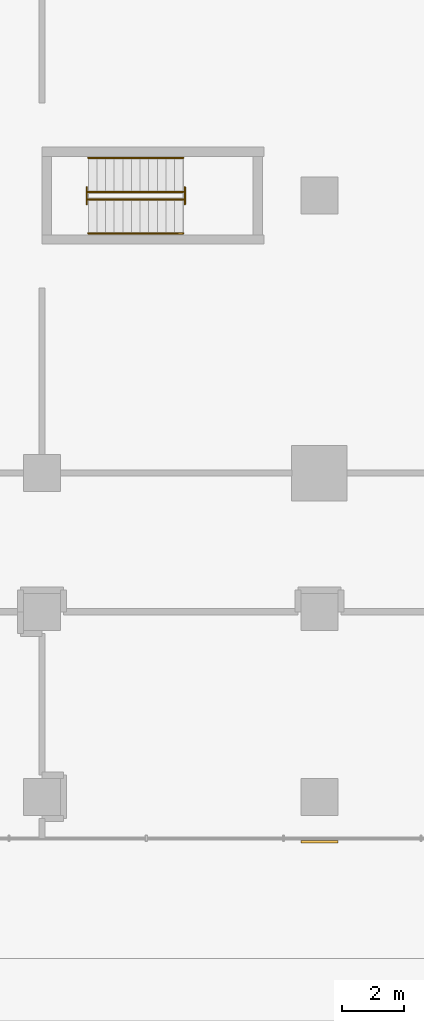
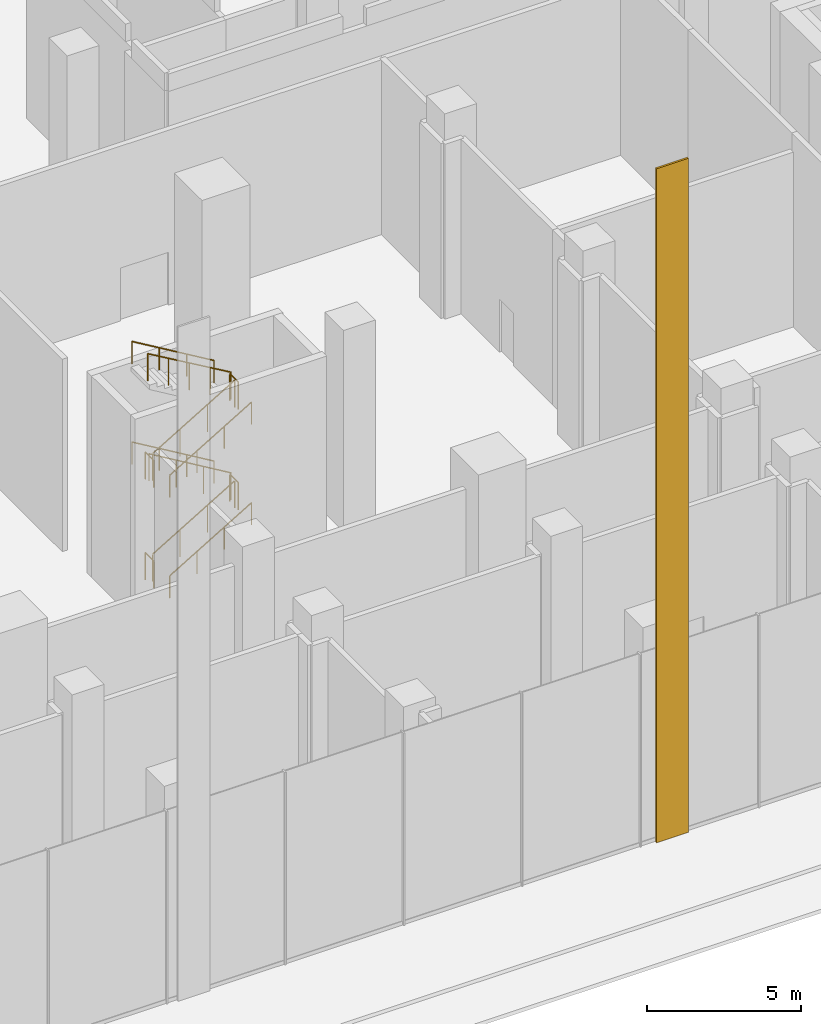
# One storey, part 31 of 42: 12 railings, 1 covering.
"""IFC4 building model written with IfcOpenShell, lengths in metres."""

from ifc_helpers import new_model, si_unit, direction, frame, origin, origin_2d, place, context, subcontext, project, spatial, rectangle, circle, extrude, material, layer, layer_set, type_object, element, save


model = new_model("IFC4")

# Units and contexts
model_context = context("Model", 3, precision=1e-05, world=origin(), true_north=direction((0.0, 1.0)))
body_context = subcontext(model_context, "Body", "Model", "MODEL_VIEW")
ifc_project = project(units=[si_unit("LENGTHUNIT", "METRE"), si_unit("AREAUNIT", "SQUARE_METRE"), si_unit("VOLUMEUNIT", "CUBIC_METRE"), si_unit("PLANEANGLEUNIT", "RADIAN"), si_unit("MASSUNIT", "GRAM", prefix="KILO")], contexts=[model_context])

# Site, building, storey
site_placement = place(None, origin())
site = spatial("IfcSite", under=ifc_project, at=site_placement, CompositionType="ELEMENT")
building_placement = place(site_placement, origin())
building = spatial("IfcBuilding", under=site, at=building_placement, Name="Plateau Cross Towers", CompositionType="ELEMENT")
storey_placement = place(building_placement, origin())
storey = spatial("IfcBuildingStorey", under=building, at=storey_placement, Name="L00", CompositionType="ELEMENT", Elevation=0.0)

# Covering
ifc_material_1 = material(Name="Aluminium composite cladding", Category="aluminium")
ifc_layer = layer(ifc_material_1, 0.070068359375)
ifc_layer_set = layer_set([ifc_layer], Name="Aluminium composite cladding")
covering_type = type_object("IfcCoveringType", Name="Podium pier cladding 1200", PredefinedType="CLADDING", material=ifc_layer_set)
covering_placement = place(storey_placement, frame((54.0, -11.9599609375, 0.0), z_axis=(0.0, 0.0, 1.0), x_axis=(1.0, 0.0, 0.0)))
element("IfcCovering", 1, at=covering_placement, inside=storey, type_object=covering_type, Name="Podium pier S4", PredefinedType="CLADDING", context=body_context, shape_type="SweptSolid", body=[
    extrude(rectangle(XDim=1.199951171875, YDim=0.070068359375, at=origin_2d()), origin(), (0.0, 0.0, 1.0), 26.800048828125),
])

# Railings
ifc_material_2 = material(Name="Stainless steel and toughened glass", Category="steel")
railing_type_1 = type_object("IfcRailingType", Name="RL-GUARD-1100", PredefinedType="GUARDRAIL", material=ifc_material_2)
railing_1_placement = place(storey_placement, frame((46.5, 8.875, 0.166748046875)))
element("IfcRailing", 2, at=railing_1_placement, inside=storey, type_object=railing_type_1, Name="L00 ES-E stair guard 1", PredefinedType="GUARDRAIL", context=body_context, shape_type="SweptSolid", body=[
    extrude(circle(Radius=0.02392578125, at=origin_2d()), frame((0.0, 0.0, 1.076171875), z_axis=(0.859308565015, 0.0, 0.511457515432), x_axis=(0.0, 1.0, 0.0)), (0.0, 0.0, 1.0), 3.58447265625),
    extrude(circle(Radius=0.02099609375, at=origin_2d()), origin(), (0.0, 0.0, 1.0), 1.052001953125),
    extrude(circle(Radius=0.02099609375, at=origin_2d()), frame((1.026611328125, 0.0, 0.611083984375)), (0.0, 0.0, 1.0), 1.052001953125),
    extrude(circle(Radius=0.02099609375, at=origin_2d()), frame((2.053466796875, 0.0, 1.22216796875)), (0.0, 0.0, 1.0), 1.052001953125),
    extrude(circle(Radius=0.02099609375, at=origin_2d()), frame((3.080078125, 0.0, 1.833251953125)), (0.0, 0.0, 1.0), 1.052001953125),
])
railing_2_placement = place(storey_placement, frame((49.6298828125, 8.72509765625, 2.0)))
element("IfcRailing", 3, at=railing_2_placement, inside=storey, type_object=railing_type_1, Name="L00 ES-E stair guard 2", PredefinedType="GUARDRAIL", context=body_context, shape_type="SweptSolid", body=[
    extrude(circle(Radius=0.02392578125, at=origin_2d()), frame((0.0, 0.0, 1.076171875), z_axis=(0.0, 1.0, 0.0), x_axis=(-1.0, 0.0, 0.0)), (0.0, 0.0, 1.0), 0.5498046875),
    extrude(circle(Radius=0.02099609375, at=origin_2d()), origin(), (0.0, 0.0, 1.0), 1.052001953125),
    extrude(circle(Radius=0.02099609375, at=origin_2d()), frame((0.0, 0.5498046875, 0.0)), (0.0, 0.0, 1.0), 1.052001953125),
])
railing_3_placement = place(storey_placement, frame((49.580078125, 9.125, 2.166748046875)))
element("IfcRailing", 4, at=railing_3_placement, inside=storey, type_object=railing_type_1, Name="L00 ES-E stair guard 3", PredefinedType="GUARDRAIL", context=body_context, shape_type="SweptSolid", body=[
    extrude(circle(Radius=0.02392578125, at=origin_2d()), frame((0.0, 0.0, 1.076171875), z_axis=(-0.859308565015, 0.0, 0.511457515432), x_axis=(0.0, -1.0, 0.0)), (0.0, 0.0, 1.0), 3.58447265625),
    extrude(circle(Radius=0.02099609375, at=origin_2d()), origin(), (0.0, 0.0, 1.0), 1.052001953125),
    extrude(circle(Radius=0.02099609375, at=origin_2d()), frame((-1.026611328125, 0.0, 0.611083984375)), (0.0, 0.0, 1.0), 1.052001953125),
    extrude(circle(Radius=0.02099609375, at=origin_2d()), frame((-2.053466796875, 0.0, 1.22216796875)), (0.0, 0.0, 1.0), 1.052001953125),
    extrude(circle(Radius=0.02099609375, at=origin_2d()), frame((-3.080078125, 0.0, 1.833251953125)), (0.0, 0.0, 1.0), 1.052001953125),
])
railing_4_placement = place(storey_placement, frame((46.449951171875, 8.72509765625, 4.0)))
element("IfcRailing", 5, at=railing_4_placement, inside=storey, type_object=railing_type_1, Name="L00 ES-E stair guard 4", PredefinedType="GUARDRAIL", context=body_context, shape_type="SweptSolid", body=[
    extrude(circle(Radius=0.02392578125, at=origin_2d()), frame((0.0, 0.0, 1.076171875), z_axis=(0.0, 1.0, 0.0), x_axis=(-1.0, 0.0, 0.0)), (0.0, 0.0, 1.0), 0.5498046875),
    extrude(circle(Radius=0.02099609375, at=origin_2d()), origin(), (0.0, 0.0, 1.0), 1.052001953125),
    extrude(circle(Radius=0.02099609375, at=origin_2d()), frame((0.0, 0.5498046875, 0.0)), (0.0, 0.0, 1.0), 1.052001953125),
])
railing_5_placement = place(storey_placement, frame((46.5, 8.875, 4.166748046875)))
element("IfcRailing", 6, at=railing_5_placement, inside=storey, type_object=railing_type_1, Name="L00 ES-E stair guard 5", PredefinedType="GUARDRAIL", context=body_context, shape_type="SweptSolid", body=[
    extrude(circle(Radius=0.02392578125, at=origin_2d()), frame((0.0, 0.0, 1.076171875), z_axis=(0.859308565015, 0.0, 0.511457515432), x_axis=(0.0, 1.0, 0.0)), (0.0, 0.0, 1.0), 3.58447265625),
    extrude(circle(Radius=0.02099609375, at=origin_2d()), origin(), (0.0, 0.0, 1.0), 1.052001953125),
    extrude(circle(Radius=0.02099609375, at=origin_2d()), frame((1.026611328125, 0.0, 0.611083984375)), (0.0, 0.0, 1.0), 1.052001953125),
    extrude(circle(Radius=0.02099609375, at=origin_2d()), frame((2.053466796875, 0.0, 1.22216796875)), (0.0, 0.0, 1.0), 1.052001953125),
    extrude(circle(Radius=0.02099609375, at=origin_2d()), frame((3.080078125, 0.0, 1.833251953125)), (0.0, 0.0, 1.0), 1.052001953125),
])
railing_6_placement = place(storey_placement, frame((49.6298828125, 8.72509765625, 6.0)))
element("IfcRailing", 7, at=railing_6_placement, inside=storey, type_object=railing_type_1, Name="L00 ES-E stair guard 6", PredefinedType="GUARDRAIL", context=body_context, shape_type="SweptSolid", body=[
    extrude(circle(Radius=0.02392578125, at=origin_2d()), frame((0.0, 0.0, 1.076171875), z_axis=(0.0, 1.0, 0.0), x_axis=(-1.0, 0.0, 0.0)), (0.0, 0.0, 1.0), 0.5498046875),
    extrude(circle(Radius=0.02099609375, at=origin_2d()), origin(), (0.0, 0.0, 1.0), 1.052001953125),
    extrude(circle(Radius=0.02099609375, at=origin_2d()), frame((0.0, 0.5498046875, 0.0)), (0.0, 0.0, 1.0), 1.052001953125),
])
railing_7_placement = place(storey_placement, frame((49.580078125, 9.125, 6.166748046875)))
element("IfcRailing", 8, at=railing_7_placement, inside=storey, type_object=railing_type_1, Name="L00 ES-E stair guard 7", PredefinedType="GUARDRAIL", context=body_context, shape_type="SweptSolid", body=[
    extrude(circle(Radius=0.02392578125, at=origin_2d()), frame((0.0, 0.0, 1.076171875), z_axis=(-0.862896359239, 0.0, 0.505380918924), x_axis=(0.0, -1.0, 0.0)), (0.0, 0.0, 1.0), 3.62744140625),
    extrude(circle(Radius=0.02099609375, at=origin_2d()), origin(), (0.0, 0.0, 1.0), 1.052001953125),
    extrude(circle(Radius=0.02099609375, at=origin_2d()), frame((-0.782470703125, 0.0, 0.458251953125)), (0.0, 0.0, 1.0), 1.052001953125),
    extrude(circle(Radius=0.02099609375, at=origin_2d()), frame((-1.56494140625, 0.0, 0.91650390625)), (0.0, 0.0, 1.0), 1.052001953125),
    extrude(circle(Radius=0.02099609375, at=origin_2d()), frame((-2.34765625, 0.0, 1.375)), (0.0, 0.0, 1.0), 1.052001953125),
    extrude(circle(Radius=0.02099609375, at=origin_2d()), frame((-3.130126953125, 0.0, 1.833251953125)), (0.0, 0.0, 1.0), 1.052001953125),
])
railing_8_placement = place(storey_placement, frame((46.449951171875, 8.72509765625, 0.0)))
element("IfcRailing", 9, at=railing_8_placement, inside=storey, type_object=railing_type_1, Name="L00 ES-E stair guard 8", PredefinedType="GUARDRAIL", context=body_context, shape_type="SweptSolid", body=[
    extrude(circle(Radius=0.02392578125, at=origin_2d()), frame((0.0, 0.0, 1.076171875), z_axis=(0.0, 1.0, 0.0), x_axis=(-1.0, 0.0, 0.0)), (0.0, 0.0, 1.0), 0.5498046875),
    extrude(circle(Radius=0.02099609375, at=origin_2d()), origin(), (0.0, 0.0, 1.0), 1.052001953125),
    extrude(circle(Radius=0.02099609375, at=origin_2d()), frame((0.0, 0.5498046875, 0.0)), (0.0, 0.0, 1.0), 1.052001953125),
])
ifc_material_3 = material(Name="Black anodised aluminium", Category="aluminium")
railing_type_2 = type_object("IfcRailingType", Name="RL-HANDRAIL-900", PredefinedType="HANDRAIL", material=ifc_material_3)
railing_9_placement = place(storey_placement, frame((46.5, 7.77490234375, 0.166748046875)))
element("IfcRailing", 10, at=railing_9_placement, inside=storey, type_object=railing_type_2, Name="L00 ES-E stair handrail 1", PredefinedType="HANDRAIL", context=body_context, shape_type="SweptSolid", body=[
    extrude(circle(Radius=0.02392578125, at=origin_2d()), frame((0.0, 0.0, 0.8759765625), z_axis=(0.859308565015, 0.0, 0.511457515432), x_axis=(0.0, 1.0, 0.0)), (0.0, 0.0, 1.0), 3.58447265625),
    extrude(circle(Radius=0.02099609375, at=origin_2d()), origin(), (0.0, 0.0, 1.0), 0.851806640625),
    extrude(circle(Radius=0.02099609375, at=origin_2d()), frame((1.026611328125, 0.0, 0.611083984375)), (0.0, 0.0, 1.0), 0.851806640625),
    extrude(circle(Radius=0.02099609375, at=origin_2d()), frame((2.053466796875, 0.0, 1.22216796875)), (0.0, 0.0, 1.0), 0.851806640625),
    extrude(circle(Radius=0.02099609375, at=origin_2d()), frame((3.080078125, 0.0, 1.833251953125)), (0.0, 0.0, 1.0), 0.851806640625),
])
railing_10_placement = place(storey_placement, frame((49.580078125, 10.22509765625, 2.166748046875)))
element("IfcRailing", 11, at=railing_10_placement, inside=storey, type_object=railing_type_2, Name="L00 ES-E stair handrail 2", PredefinedType="HANDRAIL", context=body_context, shape_type="SweptSolid", body=[
    extrude(circle(Radius=0.02392578125, at=origin_2d()), frame((0.0, 0.0, 0.8759765625), z_axis=(-0.859308565015, 0.0, 0.511457515432), x_axis=(0.0, -1.0, 0.0)), (0.0, 0.0, 1.0), 3.58447265625),
    extrude(circle(Radius=0.02099609375, at=origin_2d()), origin(), (0.0, 0.0, 1.0), 0.851806640625),
    extrude(circle(Radius=0.02099609375, at=origin_2d()), frame((-1.026611328125, 0.0, 0.611083984375)), (0.0, 0.0, 1.0), 0.851806640625),
    extrude(circle(Radius=0.02099609375, at=origin_2d()), frame((-2.053466796875, 0.0, 1.22216796875)), (0.0, 0.0, 1.0), 0.851806640625),
    extrude(circle(Radius=0.02099609375, at=origin_2d()), frame((-3.080078125, 0.0, 1.833251953125)), (0.0, 0.0, 1.0), 0.851806640625),
])
railing_11_placement = place(storey_placement, frame((46.5, 7.77490234375, 4.166748046875)))
element("IfcRailing", 12, at=railing_11_placement, inside=storey, type_object=railing_type_2, Name="L00 ES-E stair handrail 3", PredefinedType="HANDRAIL", context=body_context, shape_type="SweptSolid", body=[
    extrude(circle(Radius=0.02392578125, at=origin_2d()), frame((0.0, 0.0, 0.8759765625), z_axis=(0.859308565015, 0.0, 0.511457515432), x_axis=(0.0, 1.0, 0.0)), (0.0, 0.0, 1.0), 3.58447265625),
    extrude(circle(Radius=0.02099609375, at=origin_2d()), origin(), (0.0, 0.0, 1.0), 0.851806640625),
    extrude(circle(Radius=0.02099609375, at=origin_2d()), frame((1.026611328125, 0.0, 0.611083984375)), (0.0, 0.0, 1.0), 0.851806640625),
    extrude(circle(Radius=0.02099609375, at=origin_2d()), frame((2.053466796875, 0.0, 1.22216796875)), (0.0, 0.0, 1.0), 0.851806640625),
    extrude(circle(Radius=0.02099609375, at=origin_2d()), frame((3.080078125, 0.0, 1.833251953125)), (0.0, 0.0, 1.0), 0.851806640625),
])
railing_12_placement = place(storey_placement, frame((49.580078125, 10.22509765625, 6.166748046875)))
element("IfcRailing", 13, at=railing_12_placement, inside=storey, type_object=railing_type_2, Name="L00 ES-E stair handrail 4", PredefinedType="HANDRAIL", context=body_context, shape_type="SweptSolid", body=[
    extrude(circle(Radius=0.02392578125, at=origin_2d()), frame((0.0, 0.0, 0.8759765625), z_axis=(-0.859308565015, 0.0, 0.511457515432), x_axis=(0.0, -1.0, 0.0)), (0.0, 0.0, 1.0), 3.58447265625),
    extrude(circle(Radius=0.02099609375, at=origin_2d()), origin(), (0.0, 0.0, 1.0), 0.851806640625),
    extrude(circle(Radius=0.02099609375, at=origin_2d()), frame((-1.026611328125, 0.0, 0.611083984375)), (0.0, 0.0, 1.0), 0.851806640625),
    extrude(circle(Radius=0.02099609375, at=origin_2d()), frame((-2.053466796875, 0.0, 1.22216796875)), (0.0, 0.0, 1.0), 0.851806640625),
    extrude(circle(Radius=0.02099609375, at=origin_2d()), frame((-3.080078125, 0.0, 1.833251953125)), (0.0, 0.0, 1.0), 0.851806640625),
])

save(model, "model.ifc")
